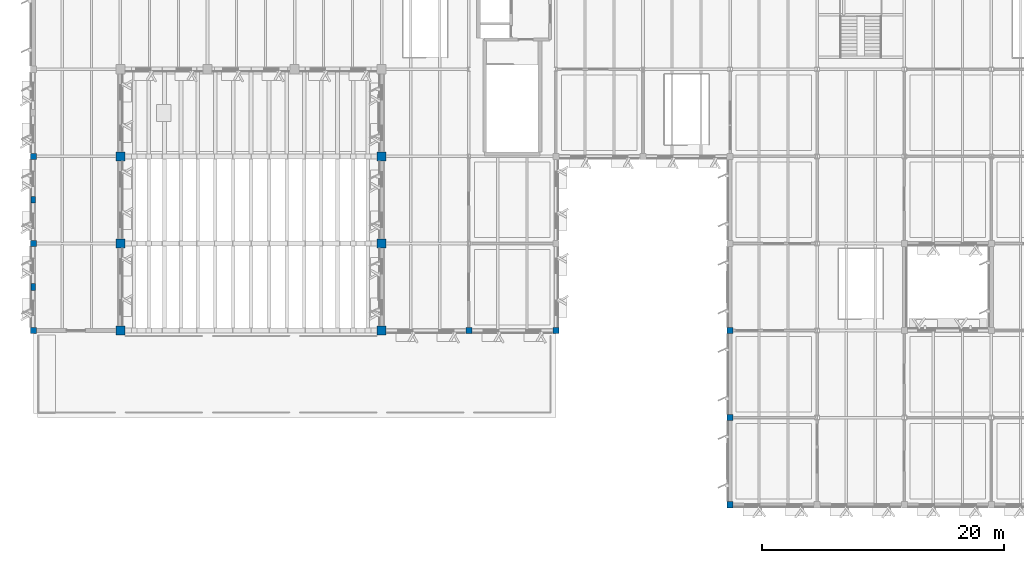
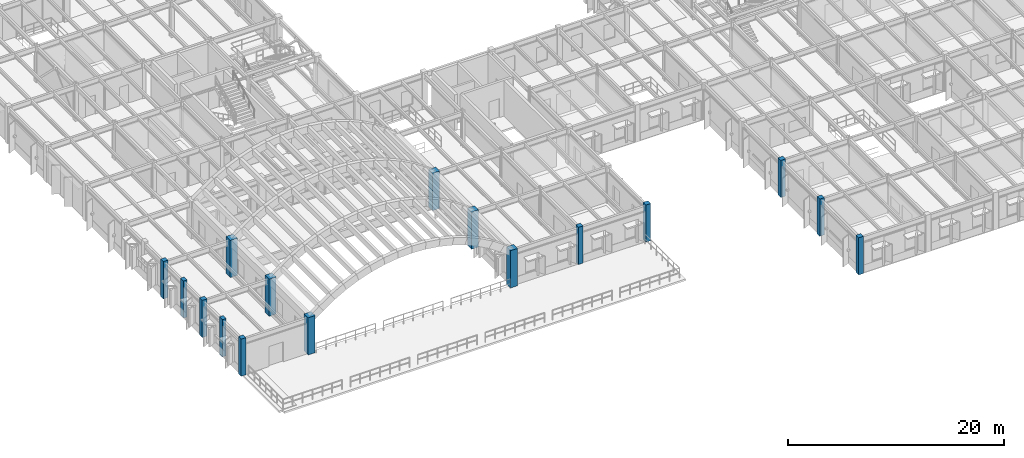
# One storey, part 1 of 85: 16 columns.
"""IFC4 building model written with IfcOpenShell, lengths in metres."""

from ifc_helpers import new_model, si_unit, direction, frame, origin, origin_2d, place, context, subcontext, project, spatial, rectangle, extrude, material, material_profile, profile_set, type_object, element, save


model = new_model("IFC4")

# Units and contexts
model_context = context("Model", 3, precision=1e-05, world=origin(), true_north=direction((0.0, 1.0)))
body_context = subcontext(model_context, "Body", "Model", "MODEL_VIEW")
ifc_project = project(units=[si_unit("LENGTHUNIT", "METRE"), si_unit("AREAUNIT", "SQUARE_METRE"), si_unit("VOLUMEUNIT", "CUBIC_METRE"), si_unit("PLANEANGLEUNIT", "RADIAN"), si_unit("MASSUNIT", "GRAM", prefix="KILO")], contexts=[model_context])

# Site, building, storey
site_placement = place(None, origin())
site = spatial("IfcSite", under=ifc_project, at=site_placement, CompositionType="ELEMENT")
building_placement = place(site_placement, origin())
building = spatial("IfcBuilding", under=site, at=building_placement, Name="Sillqori Civic Hall", CompositionType="ELEMENT")
storey_placement = place(building_placement, frame((0.0, 0.0, 9.89990234375)))
storey = spatial("IfcBuildingStorey", under=building, at=storey_placement, Name="L03", CompositionType="ELEMENT", Elevation=9.89990234375)

# Columns
ifc_material = material(Name="Concrete C35/45 (H35)", Category="concrete")
ifc_material_profile_1 = material_profile(ifc_material, rectangle(XDim=0.5, YDim=0.5, at=origin_2d()), Name="RC 500x500")
ifc_profile_set_1 = profile_set([ifc_material_profile_1], Name="Concrete C35/45 (H35)")
column_type_1 = type_object("IfcColumnType", Name="COL-RC500", PredefinedType="COLUMN", material=ifc_profile_set_1)
for number, where, z_axis, x_axis, name in (
    (1, (7.199951171875, 21.60009765625, 0.0), (0.0, 0.0, 1.0), (1.0, 0.0, 0.0), "L03 column 1-3"),
    (2, (7.199951171875, 28.800048828125, 0.0), (0.0, 0.0, 1.0), (1.0, 0.0, 0.0), "L03 column 1-4"),
    (3, (7.199951171875, 36.0, 0.0), (0.0, 0.0, 1.0), (1.0, 0.0, 0.0), "L03 column 1-5"),
    (4, (43.199951171875, 21.60009765625, 0.0), (0.0, 0.0, 1.0), (1.0, 0.0, 0.0), "L03 column 6-3"),
    (5, (50.39990234375, 21.60009765625, 0.0), (0.0, 0.0, 1.0), (1.0, 0.0, 0.0), "L03 column 7-3"),
    (6, (64.800048828125, 7.199951171875, 0.0), (0.0, 0.0, 1.0), (1.0, 0.0, 0.0), "L03 column 9-1"),
    (7, (64.800048828125, 14.39990234375, 0.0), (0.0, 0.0, 1.0), (1.0, 0.0, 0.0), "L03 column 9-2"),
    (8, (64.800048828125, 21.60009765625, 0.0), (0.0, 0.0, 1.0), (1.0, 0.0, 0.0), "L03 column 9-3"),
):
    element("IfcColumn", number, at=place(storey_placement, frame(where, z_axis=z_axis, x_axis=x_axis)), inside=storey, type_object=column_type_1, Name=name, PredefinedType="COLUMN", context=body_context, shape_type="SweptSolid", body=[
        extrude(rectangle(XDim=0.5, YDim=0.5, at=origin_2d()), origin(), (0.0, 0.0, 1.0), 4.2001953125),
    ])
ifc_material_profile_2 = material_profile(ifc_material, rectangle(XDim=0.75, YDim=0.75, at=origin_2d()), Name="RC 750x750")
ifc_profile_set_2 = profile_set([ifc_material_profile_2], Name="Concrete C35/45 (H35)")
column_type_2 = type_object("IfcColumnType", Name="COL-RC750", PredefinedType="COLUMN", material=ifc_profile_set_2)
for number, where, z_axis, x_axis, name in (
    (9, (14.39990234375, 21.60009765625, 0.0), (0.0, 0.0, 1.0), (1.0, 0.0, 0.0), "L03 column 2-3"),
    (10, (14.39990234375, 28.800048828125, 0.0), (0.0, 0.0, 1.0), (1.0, 0.0, 0.0), "L03 column 2-4"),
    (11, (14.39990234375, 36.0, 0.0), (0.0, 0.0, 1.0), (1.0, 0.0, 0.0), "L03 column 2-5"),
    (12, (36.0, 21.60009765625, 0.0), (0.0, 0.0, 1.0), (1.0, 0.0, 0.0), "L03 column 5-3"),
    (13, (36.0, 28.800048828125, 0.0), (0.0, 0.0, 1.0), (1.0, 0.0, 0.0), "L03 column 5-4"),
    (14, (36.0, 36.0, 0.0), (0.0, 0.0, 1.0), (1.0, 0.0, 0.0), "L03 column 5-5"),
):
    element("IfcColumn", number, at=place(storey_placement, frame(where, z_axis=z_axis, x_axis=x_axis)), inside=storey, type_object=column_type_2, Name=name, PredefinedType="COLUMN", context=body_context, shape_type="SweptSolid", body=[
        extrude(rectangle(XDim=0.75, YDim=0.75, at=origin_2d()), origin(), (0.0, 0.0, 1.0), 4.2001953125),
    ])
ifc_material_profile_3 = material_profile(ifc_material, rectangle(XDim=0.39990234375, YDim=0.550048828125, at=origin_2d()), Name="RC 400x550")
ifc_profile_set_3 = profile_set([ifc_material_profile_3], Name="Concrete C35/45 (H35)")
column_type_3 = type_object("IfcColumnType", Name="PIL-RC400", PredefinedType="PILASTER", material=ifc_profile_set_3)
for number, where, z_axis, x_axis, name in (
    (15, (7.199951171875, 25.199951171875, 0.0), (0.0, 0.0, 1.0), (1.0, 0.0, 0.0), "L03 facade pilaster 03"),
    (16, (7.199951171875, 32.39990234375, 0.0), (0.0, 0.0, 1.0), (1.0, 0.0, 0.0), "L03 facade pilaster 04"),
):
    element("IfcColumn", number, at=place(storey_placement, frame(where, z_axis=z_axis, x_axis=x_axis)), inside=storey, type_object=column_type_3, Name=name, PredefinedType="PILASTER", context=body_context, shape_type="SweptSolid", body=[
        extrude(rectangle(XDim=0.39990234375, YDim=0.550048828125, at=origin_2d()), origin(), (0.0, 0.0, 1.0), 4.2001953125),
    ])

save(model, "model.ifc")
